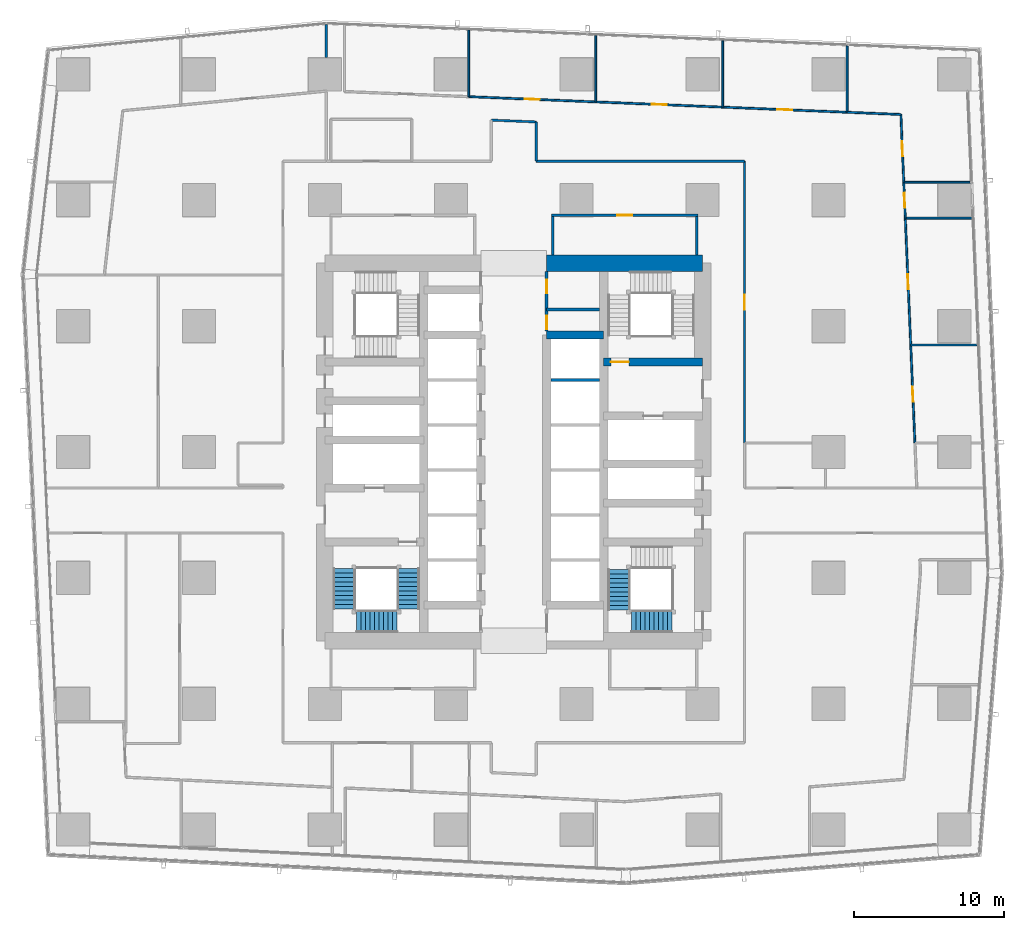
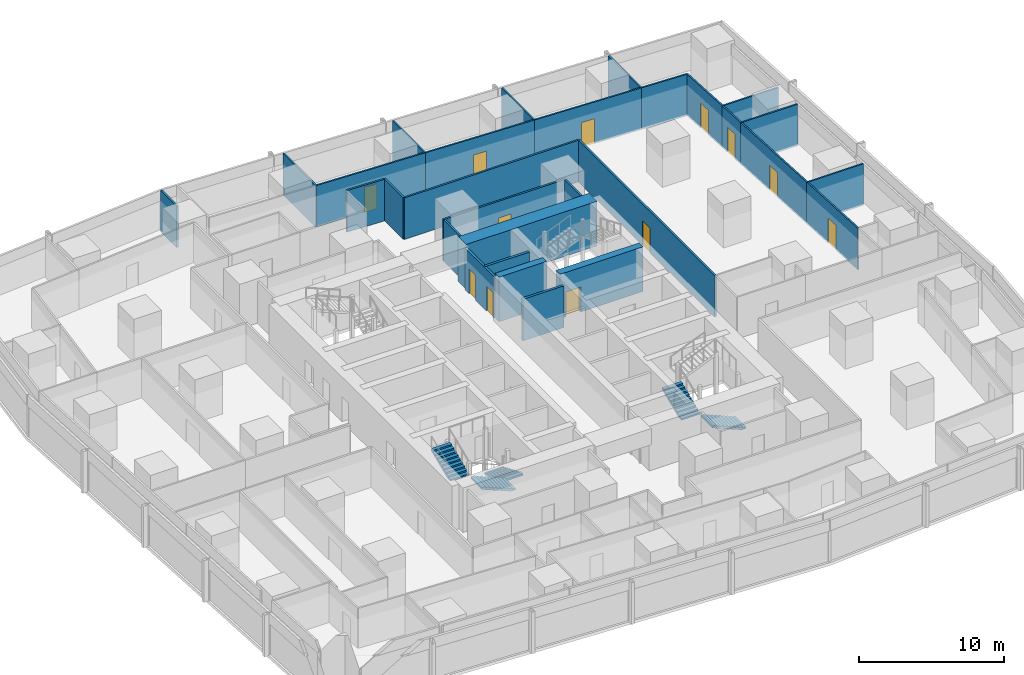
# One storey, part 35 of 45: 29 walls, 12 doors, 5 stair flights, 12 openings, 2 elements without a shape of their own.
"""IFC4 building model written with IfcOpenShell, lengths in metres."""

from ifc_helpers import new_model, si_unit, direction, frame, frame_2d, origin, place, context, subcontext, project, spatial, polyline, rectangle, outline, extrude, material, layer, layer_set, type_object, element, fill, aggregate, save


model = new_model("IFC4")

# Units and contexts
model_context = context("Model", 3, precision=1e-05, world=origin(), true_north=direction((0.0, 1.0)))
body_context = subcontext(model_context, "Body", "Model", "MODEL_VIEW")
ifc_project = project(units=[si_unit("LENGTHUNIT", "METRE"), si_unit("AREAUNIT", "SQUARE_METRE"), si_unit("VOLUMEUNIT", "CUBIC_METRE"), si_unit("PLANEANGLEUNIT", "RADIAN"), si_unit("MASSUNIT", "GRAM", prefix="KILO")], contexts=[model_context])

# Site, building, storey
site_placement = place(None, origin())
site = spatial("IfcSite", under=ifc_project, at=site_placement, CompositionType="ELEMENT")
building_placement = place(site_placement, origin())
building = spatial("IfcBuilding", under=site, at=building_placement, Name="Rekha Terrace Tower", CompositionType="ELEMENT")
storey_placement = place(building_placement, frame((0.0, 0.0, 36.64990234375)))
storey = spatial("IfcBuildingStorey", under=building, at=storey_placement, Name="L08", CompositionType="ELEMENT", Elevation=36.64990234375)

# Wall
ifc_material_1 = material(Name="Concrete M70", Category="concrete")
ifc_layer_1 = layer(ifc_material_1, 0.550048828125)
ifc_layer_set_1 = layer_set([ifc_layer_1], Name="Concrete M70")
wall_type_1 = type_object("IfcWallType", Name="CI1 550 core internal shear wall", PredefinedType="SHEAR", material=ifc_layer_set_1)
wall_1_placement = place(storey_placement, frame((40.0, 41.39990234375, 0.0), z_axis=(0.0, 0.0, 1.0), x_axis=(1.0, 0.0, 0.0)))
element("IfcWall", 1, at=wall_1_placement, inside=storey, type_object=wall_type_1, Name="Core wall Y414E L08", PredefinedType="SHEAR", context=body_context, shape_type="SweptSolid", body=[
    extrude(rectangle(XDim=3.800048828125, YDim=0.550048828125, at=frame_2d((1.89990234375, 0.0))), origin(), (0.0, 0.0, 1.0), 3.75),
])

# Wall, opening, door
wall_2_placement = place(storey_placement, frame((43.800048828125, 39.60009765625, 0.0), z_axis=(0.0, 0.0, 1.0), x_axis=(1.0, 0.0, 0.0)))
wall_2 = element("IfcWall", 2, at=wall_2_placement, inside=storey, type_object=wall_type_1, Name="Core wall Y396E L08", PredefinedType="SHEAR", context=body_context, shape_type="SweptSolid", body=[
    extrude(rectangle(XDim=6.599853515625, YDim=0.550048828125, at=frame_2d((3.2998046875, 0.0))), origin(), (0.0, 0.0, 1.0), 3.75),
])
opening_1_placement = place(wall_2_placement, frame((0.47509765625, 0.0, 0.0)))
opening_1 = element("IfcOpeningElement", 3, at=opening_1_placement, cuts=wall_2, Name="Opening D1", PredefinedType="OPENING", context=body_context, shape_type="SweptSolid", body=[
    extrude(rectangle(XDim=1.199951171875, YDim=2.10009765625, at=frame_2d((0.60009765625, 1.050048828125))), frame((0.0, 0.284912109375, 0.0), z_axis=(0.0, -1.0, 0.0), x_axis=(1.0, 0.0, 0.0)), (0.0, 0.0, 1.0), 0.570068359375),
])
ifc_material_2 = material(Name="Steel fire door", Category="steel")
door_type_1 = type_object("IfcDoorType", Name="D1 1200x2100 stair fire door", OperationType="SINGLE_SWING_RIGHT", PredefinedType="DOOR", material=ifc_material_2)
door_1_placement = place(opening_1_placement, origin())
door_1 = element("IfcDoor", 4, at=door_1_placement, inside=storey, type_object=door_type_1, Name="Stair ST2 door L08", OperationType="SINGLE_SWING_RIGHT", OverallHeight=2.10009765625, OverallWidth=1.199951171875, PredefinedType="DOOR", context=body_context, shape_type="SweptSolid", body=[
    extrude(rectangle(XDim=1.199951171875, YDim=2.10009765625, at=frame_2d((0.60009765625, 1.050048828125))), frame((0.0, 0.02490234375, 0.0), z_axis=(0.0, -1.0, 0.0), x_axis=(1.0, 0.0, 0.0)), (0.0, 0.0, 1.0), 0.050048828125),
])
fill(opening_1, door_1)

# Wall
ifc_layer_2 = layer(ifc_material_1, 1.10009765625)
ifc_layer_set_2 = layer_set([ifc_layer_2], Name="Concrete M70")
wall_type_2 = type_object("IfcWallType", Name="SW1 1100 core outer shear wall", PredefinedType="SHEAR", material=ifc_layer_set_2)
wall_3_placement = place(storey_placement, frame((40.0, 46.199951171875, 0.0), z_axis=(0.0, 0.0, 1.0), x_axis=(1.0, 0.0, 0.0)))
element("IfcWall", 5, at=wall_3_placement, inside=storey, type_object=wall_type_2, Name="Core wall N2 L08", PredefinedType="SHEAR", context=body_context, shape_type="SweptSolid", body=[
    extrude(rectangle(XDim=10.39990234375, YDim=1.10009765625, at=frame_2d((5.199951171875, 0.0))), origin(), (0.0, 0.0, 1.0), 3.75),
])

# Wall, opening, door
ifc_material_3 = material(Name="Concrete block masonry, 1 hour", Category="masonry")
ifc_layer_3 = layer(ifc_material_3, 0.14990234375)
ifc_layer_set_3 = layer_set([ifc_layer_3], Name="Concrete block masonry, 1 hour")
wall_type_3 = type_object("IfcWallType", Name="WP2 150 tenancy partition", PredefinedType="PARTITIONING", material=ifc_layer_set_3)
wall_4_placement = place(storey_placement, frame((40.324951171875, 49.39990234375, 0.0), z_axis=(0.0, 0.0, 1.0), x_axis=(1.0, 0.0, 0.0)))
wall_4 = element("IfcWall", 6, at=wall_4_placement, inside=storey, type_object=wall_type_3, Name="Women's WC wall L08", PredefinedType="PARTITIONING", context=body_context, shape_type="SweptSolid", body=[
    extrude(rectangle(XDim=9.75, YDim=0.14990234375, at=frame_2d((4.875, 0.0))), origin(), (0.0, 0.0, 1.0), 3.5),
])
opening_2_placement = place(wall_4_placement, frame((4.375, 0.0, 0.0)))
opening_2 = element("IfcOpeningElement", 7, at=opening_2_placement, cuts=wall_4, Name="Opening D3", PredefinedType="OPENING", context=body_context, shape_type="SweptSolid", body=[
    extrude(rectangle(XDim=1.0, YDim=2.10009765625, at=frame_2d((0.5, 1.050048828125))), frame((0.0, 0.0849609375, 0.0), z_axis=(0.0, -1.0, 0.0), x_axis=(1.0, 0.0, 0.0)), (0.0, 0.0, 1.0), 0.169921875),
])
ifc_material_4 = material(Name="Laminated timber fire door", Category="wood")
door_type_2 = type_object("IfcDoorType", Name="D3 1000x2100 WC door", OperationType="SINGLE_SWING_LEFT", PredefinedType="DOOR", material=ifc_material_4)
door_2_placement = place(opening_2_placement, origin())
door_2 = element("IfcDoor", 8, at=door_2_placement, inside=storey, type_object=door_type_2, Name="Door women's wc L08", OperationType="SINGLE_SWING_LEFT", OverallHeight=2.10009765625, OverallWidth=1.0, PredefinedType="DOOR", context=body_context, shape_type="SweptSolid", body=[
    extrude(rectangle(XDim=1.0, YDim=2.10009765625, at=frame_2d((0.5, 1.050048828125))), frame((0.0, 0.02490234375, 0.0), z_axis=(0.0, -1.0, 0.0), x_axis=(1.0, 0.0, 0.0)), (0.0, 0.0, 1.0), 0.050048828125),
])
fill(opening_2, door_2)

# Walls
for number, where, z_axis, x_axis, name in (
    (9, (40.39990234375, 46.75, 0.0), (0.0, 0.0, 1.0), (0.0, 1.0, 0.0), "Women's WC wall L08"),
    (10, (50.0, 46.75, 0.0), (0.0, 0.0, 1.0), (0.0, 1.0, 0.0), "Women's WC wall L08"),
):
    element("IfcWall", number, at=place(storey_placement, frame(where, z_axis=z_axis, x_axis=x_axis)), inside=storey, type_object=wall_type_3, Name=name, PredefinedType="PARTITIONING", context=body_context, shape_type="SweptSolid", body=[
        extrude(rectangle(XDim=2.574951171875, YDim=0.14990234375, at=frame_2d((1.28759765625, 0.0))), origin(), (0.0, 0.0, 1.0), 3.5),
    ])

# Wall, opening, door
wall_5_placement = place(storey_placement, frame((53.199951171875, 34.199951171875, 0.0), z_axis=(0.0, 0.0, 1.0), x_axis=(0.0, 1.0, 0.0)))
wall_5 = element("IfcWall", 11, at=wall_5_placement, inside=storey, type_object=wall_type_3, Name="Partition L08-O3", PredefinedType="PARTITIONING", context=body_context, shape_type="SweptSolid", body=[
    extrude(rectangle(XDim=18.800048828125, YDim=0.14990234375, at=frame_2d((9.39990234375, 0.0))), origin(), (0.0, 0.0, 1.0), 3.5),
])
opening_3_placement = place(wall_5_placement, frame((8.89990234375, 0.0, 0.0)))
opening_3 = element("IfcOpeningElement", 12, at=opening_3_placement, cuts=wall_5, Name="Opening D9", PredefinedType="OPENING", context=body_context, shape_type="SweptSolid", body=[
    extrude(rectangle(XDim=1.0, YDim=2.10009765625, at=frame_2d((0.5, 1.050048828125))), frame((0.0, 0.0849609375, 0.0), z_axis=(0.0, -1.0, 0.0), x_axis=(1.0, 0.0, 0.0)), (0.0, 0.0, 1.0), 0.169921875),
])
ifc_material_5 = material(Name="Timber fire door", Category="wood")
door_type_3 = type_object("IfcDoorType", Name="D9 1000x2100 office door", OperationType="SINGLE_SWING_LEFT", PredefinedType="DOOR", material=ifc_material_5)
door_3_placement = place(opening_3_placement, origin())
door_3 = element("IfcDoor", 13, at=door_3_placement, inside=storey, type_object=door_type_3, Name="Door open-plan office L08", OperationType="SINGLE_SWING_LEFT", OverallHeight=2.10009765625, OverallWidth=1.0, PredefinedType="DOOR", context=body_context, shape_type="SweptSolid", body=[
    extrude(rectangle(XDim=1.0, YDim=2.10009765625, at=frame_2d((0.5, 1.050048828125))), frame((0.0, 0.02490234375, 0.0), z_axis=(0.0, -1.0, 0.0), x_axis=(1.0, 0.0, 0.0)), (0.0, 0.0, 1.0), 0.050048828125),
])
fill(opening_3, door_3)

# Walls
wall_6_placement = place(storey_placement, frame((53.199951171875, 53.0, 0.0), z_axis=(0.0, 0.0, 1.0), x_axis=(-1.0, 0.0, 0.0)))
element("IfcWall", 14, at=wall_6_placement, inside=storey, type_object=wall_type_3, Name="Partition L08-O3", PredefinedType="PARTITIONING", context=body_context, shape_type="SweptSolid", body=[
    extrude(rectangle(XDim=13.89990234375, YDim=0.14990234375, at=frame_2d((6.949951171875, 0.0))), origin(), (0.0, 0.0, 1.0), 3.5),
])
wall_7_placement = place(storey_placement, frame((39.300048828125, 53.0, 0.0), z_axis=(0.0, 0.0, 1.0), x_axis=(0.0, 1.0, 0.0)))
element("IfcWall", 15, at=wall_7_placement, inside=storey, type_object=wall_type_3, Name="Partition L08-O3", PredefinedType="PARTITIONING", context=body_context, shape_type="SweptSolid", body=[
    extrude(rectangle(XDim=2.618896484375, YDim=0.14990234375, at=frame_2d((1.3095703125, 0.0))), origin(), (0.0, 0.0, 1.0), 3.5),
])
wall_8_placement = place(storey_placement, frame((39.300048828125, 55.618896484375, 0.0), z_axis=(0.0, 0.0, 1.0), x_axis=(-0.999146548644, 0.041305863176, 0.0)))
element("IfcWall", 16, at=wall_8_placement, inside=storey, type_object=wall_type_3, Name="Partition L08-O3", PredefinedType="PARTITIONING", context=body_context, shape_type="SweptSolid", body=[
    extrude(rectangle(XDim=3.00244140625, YDim=0.14990234375, at=frame_2d((1.501220703125, 0.0))), origin(), (0.0, 0.0, 1.0), 3.5),
])
wall_9_placement = place(storey_placement, frame((25.291015625, 59.919921875, 0.0), z_axis=(0.0, 0.0, 1.0), x_axis=(0.0, 1.0, 0.0)))
element("IfcWall", 17, at=wall_9_placement, inside=storey, type_object=wall_type_3, Name="Partition L08-O3", PredefinedType="PARTITIONING", context=body_context, shape_type="SweptSolid", body=[
    extrude(rectangle(XDim=2.196044921875, YDim=0.14990234375, at=frame_2d((1.09814453125, 0.0))), origin(), (0.0, 0.0, 1.0), 3.5),
])
ifc_material_6 = material(Name="Two layers of fire-rated gypsum board each side on steel studs, acoustic quilt, 1 hour", Category="steel")
ifc_layer_4 = layer(ifc_material_6, 0.125)
ifc_layer_set_4 = layer_set([ifc_layer_4], Name="Two layers of fire-rated gypsum board each side on steel studs, acoustic quilt, 1 hour")
wall_type_4 = type_object("IfcWallType", Name="WP3 125 office partition", PredefinedType="PARTITIONING", material=ifc_layer_set_4)
wall_10_placement = place(storey_placement, frame((64.283935546875, 40.735107421875, 0.0), z_axis=(0.0, 0.0, 1.0), x_axis=(1.0, 0.0, 0.0)))
element("IfcWall", 18, at=wall_10_placement, inside=storey, type_object=wall_type_4, Name="Partition L08-10", PredefinedType="PARTITIONING", context=body_context, shape_type="SweptSolid", body=[
    extrude(rectangle(XDim=4.424072265625, YDim=0.125, at=frame_2d((2.2119140625, 0.0))), origin(), (0.0, 0.0, 1.0), 3.5),
])

# Wall, opening, door
wall_11_placement = place(storey_placement, frame((64.56298828125, 34.199951171875, 0.0), z_axis=(0.0, 0.0, 1.0), x_axis=(-0.042661364349, 0.999089589572, 0.0)))
wall_11 = element("IfcWall", 19, at=wall_11_placement, inside=storey, type_object=wall_type_4, Name="Partition L08-10", PredefinedType="PARTITIONING", context=body_context, shape_type="SweptSolid", body=[
    extrude(rectangle(XDim=6.541015625, YDim=0.125, at=frame_2d((3.2705078125, 0.0))), origin(), (0.0, 0.0, 1.0), 3.5),
])
opening_4_placement = place(wall_11_placement, frame((2.77001953125, 0.0, 0.0)))
opening_4 = element("IfcOpeningElement", 20, at=opening_4_placement, cuts=wall_11, Name="Opening D9", PredefinedType="OPENING", context=body_context, shape_type="SweptSolid", body=[
    extrude(rectangle(XDim=1.0, YDim=2.10009765625, at=frame_2d((0.5, 1.050048828125))), frame((0.0, 0.072509765625, 0.0), z_axis=(0.0, -1.0, 0.0), x_axis=(1.0, 0.0, 0.0)), (0.0, 0.0, 1.0), 0.14501953125),
])
door_4_placement = place(opening_4_placement, origin())
door_4 = element("IfcDoor", 21, at=door_4_placement, inside=storey, type_object=door_type_3, Name="Door office L08", OperationType="SINGLE_SWING_LEFT", OverallHeight=2.10009765625, OverallWidth=1.0, PredefinedType="DOOR", context=body_context, shape_type="SweptSolid", body=[
    extrude(rectangle(XDim=1.0, YDim=2.10009765625, at=frame_2d((0.5, 1.050048828125))), frame((0.0, 0.02490234375, 0.0), z_axis=(0.0, -1.0, 0.0), x_axis=(1.0, 0.0, 0.0)), (0.0, 0.0, 1.0), 0.050048828125),
])
fill(opening_4, door_4)

wall_12_placement = place(storey_placement, frame((64.283935546875, 40.736083984375, 0.0), z_axis=(0.0, 0.0, 1.0), x_axis=(-0.04269951426, 0.999087959832, 0.0)))
wall_12 = element("IfcWall", 22, at=wall_12_placement, inside=storey, type_object=wall_type_4, Name="Partition L08-11", PredefinedType="PARTITIONING", context=body_context, shape_type="SweptSolid", body=[
    extrude(rectangle(XDim=8.4736328125, YDim=0.125, at=frame_2d((4.23681640625, 0.0))), origin(), (0.0, 0.0, 1.0), 3.5),
])
opening_5_placement = place(wall_12_placement, frame((3.737060546875, 0.0, 0.0)))
opening_5 = element("IfcOpeningElement", 23, at=opening_5_placement, cuts=wall_12, Name="Opening D9", PredefinedType="OPENING", context=body_context, shape_type="SweptSolid", body=[
    extrude(rectangle(XDim=1.0, YDim=2.10009765625, at=frame_2d((0.5, 1.050048828125))), frame((0.0, 0.072509765625, 0.0), z_axis=(0.0, -1.0, 0.0), x_axis=(1.0, 0.0, 0.0)), (0.0, 0.0, 1.0), 0.14501953125),
])
door_5_placement = place(opening_5_placement, origin())
door_5 = element("IfcDoor", 24, at=door_5_placement, inside=storey, type_object=door_type_3, Name="Door office L08", OperationType="SINGLE_SWING_LEFT", OverallHeight=2.10009765625, OverallWidth=1.0, PredefinedType="DOOR", context=body_context, shape_type="SweptSolid", body=[
    extrude(rectangle(XDim=1.0, YDim=2.10009765625, at=frame_2d((0.5, 1.050048828125))), frame((0.0, 0.02490234375, 0.0), z_axis=(0.0, -1.0, 0.0), x_axis=(1.0, 0.0, 0.0)), (0.0, 0.0, 1.0), 0.050048828125),
])
fill(opening_5, door_5)

# Wall
wall_13_placement = place(storey_placement, frame((63.922119140625, 49.201904296875, 0.0), z_axis=(0.0, 0.0, 1.0), x_axis=(1.0, 0.0, 0.0)))
element("IfcWall", 25, at=wall_13_placement, inside=storey, type_object=wall_type_4, Name="Partition L08-11", PredefinedType="PARTITIONING", context=body_context, shape_type="SweptSolid", body=[
    extrude(rectangle(XDim=4.453857421875, YDim=0.125, at=frame_2d((2.22705078125, 0.0))), origin(), (0.0, 0.0, 1.0), 3.5),
])

# Wall, opening, door
wall_14_placement = place(storey_placement, frame((63.922119140625, 49.202880859375, 0.0), z_axis=(0.0, 0.0, 1.0), x_axis=(-0.042501507067, 0.999096402704, 0.0)))
wall_14 = element("IfcWall", 26, at=wall_14_placement, inside=storey, type_object=wall_type_4, Name="Partition L08-12", PredefinedType="PARTITIONING", context=body_context, shape_type="SweptSolid", body=[
    extrude(rectangle(XDim=2.355224609375, YDim=0.125, at=frame_2d((1.177734375, 0.0))), origin(), (0.0, 0.0, 1.0), 3.5),
])
opening_6_placement = place(wall_14_placement, frame((0.677978515625, 0.0, 0.0)))
opening_6 = element("IfcOpeningElement", 27, at=opening_6_placement, cuts=wall_14, Name="Opening D9", PredefinedType="OPENING", context=body_context, shape_type="SweptSolid", body=[
    extrude(rectangle(XDim=1.0, YDim=2.10009765625, at=frame_2d((0.5, 1.050048828125))), frame((0.0, 0.072509765625, 0.0), z_axis=(0.0, -1.0, 0.0), x_axis=(1.0, 0.0, 0.0)), (0.0, 0.0, 1.0), 0.14501953125),
])
door_6_placement = place(opening_6_placement, origin())
door_6 = element("IfcDoor", 28, at=door_6_placement, inside=storey, type_object=door_type_3, Name="Door office L08", OperationType="SINGLE_SWING_LEFT", OverallHeight=2.10009765625, OverallWidth=1.0, PredefinedType="DOOR", context=body_context, shape_type="SweptSolid", body=[
    extrude(rectangle(XDim=1.0, YDim=2.10009765625, at=frame_2d((0.5, 1.050048828125))), frame((0.0, 0.02490234375, 0.0), z_axis=(0.0, -1.0, 0.0), x_axis=(1.0, 0.0, 0.0)), (0.0, 0.0, 1.0), 0.050048828125),
])
fill(opening_6, door_6)

# Wall
wall_15_placement = place(storey_placement, frame((63.883056640625, 51.593017578125, 0.0), z_axis=(0.0, 0.0, 1.0), x_axis=(1.0, 0.0, 0.0)))
element("IfcWall", 29, at=wall_15_placement, inside=storey, type_object=wall_type_4, Name="Partition L08-12", PredefinedType="PARTITIONING", context=body_context, shape_type="SweptSolid", body=[
    extrude(rectangle(XDim=4.36083984375, YDim=0.125, at=frame_2d((2.180419921875, 0.0))), origin(), (0.0, 0.0, 1.0), 3.5),
])

# Wall, opening, door
wall_16_placement = place(storey_placement, frame((63.822021484375, 51.556884765625, 0.0), z_axis=(0.0, 0.0, 1.0), x_axis=(-0.042738513094, 0.999086292318, 0.0)))
wall_16 = element("IfcWall", 30, at=wall_16_placement, inside=storey, type_object=wall_type_4, Name="Partition L08-13", PredefinedType="PARTITIONING", context=body_context, shape_type="SweptSolid", body=[
    extrude(rectangle(XDim=4.564208984375, YDim=0.125, at=frame_2d((2.2822265625, 0.0))), origin(), (0.0, 0.0, 1.0), 3.5),
])
opening_7_placement = place(wall_16_placement, frame((1.781982421875, 0.0, 0.0)))
opening_7 = element("IfcOpeningElement", 31, at=opening_7_placement, cuts=wall_16, Name="Opening D9", PredefinedType="OPENING", context=body_context, shape_type="SweptSolid", body=[
    extrude(rectangle(XDim=1.0, YDim=2.10009765625, at=frame_2d((0.5, 1.050048828125))), frame((0.0, 0.072509765625, 0.0), z_axis=(0.0, -1.0, 0.0), x_axis=(1.0, 0.0, 0.0)), (0.0, 0.0, 1.0), 0.14501953125),
])
door_7_placement = place(opening_7_placement, origin())
door_7 = element("IfcDoor", 32, at=door_7_placement, inside=storey, type_object=door_type_3, Name="Door manager's office L08", OperationType="SINGLE_SWING_LEFT", OverallHeight=2.10009765625, OverallWidth=1.0, PredefinedType="DOOR", context=body_context, shape_type="SweptSolid", body=[
    extrude(rectangle(XDim=1.0, YDim=2.10009765625, at=frame_2d((0.5, 1.050048828125))), frame((0.0, 0.02490234375, 0.0), z_axis=(0.0, -1.0, 0.0), x_axis=(1.0, 0.0, 0.0)), (0.0, 0.0, 1.0), 0.050048828125),
])
fill(opening_7, door_7)

# Walls
wall_17_placement = place(storey_placement, frame((63.626953125, 56.116943359375, 0.0), z_axis=(0.0, 0.0, 1.0), x_axis=(-0.999150890799, 0.041200696776, 0.0)))
element("IfcWall", 33, at=wall_17_placement, inside=storey, type_object=wall_type_4, Name="Partition L08-13", PredefinedType="PARTITIONING", context=body_context, shape_type="SweptSolid", body=[
    extrude(rectangle(XDim=3.5908203125, YDim=0.125, at=frame_2d((1.79541015625, 0.0))), origin(), (0.0, 0.0, 1.0), 3.5),
])
wall_18_placement = place(storey_placement, frame((60.0390625, 56.264892578125, 0.0), z_axis=(0.0, 0.0, 1.0), x_axis=(0.0, 1.0, 0.0)))
element("IfcWall", 34, at=wall_18_placement, inside=storey, type_object=wall_type_4, Name="Partition L08-13", PredefinedType="PARTITIONING", context=body_context, shape_type="SweptSolid", body=[
    extrude(rectangle(XDim=4.424072265625, YDim=0.125, at=frame_2d((2.2119140625, 0.0))), origin(), (0.0, 0.0, 1.0), 3.5),
])

# Wall, opening, door
wall_19_placement = place(storey_placement, frame((60.0380859375, 56.264892578125, 0.0), z_axis=(0.0, 0.0, 1.0), x_axis=(-0.999150321127, 0.041214509478, 0.0)))
wall_19 = element("IfcWall", 35, at=wall_19_placement, inside=storey, type_object=wall_type_4, Name="Partition L08-14", PredefinedType="PARTITIONING", context=body_context, shape_type="SweptSolid", body=[
    extrude(rectangle(XDim=8.299072265625, YDim=0.125, at=frame_2d((4.1494140625, 0.0))), origin(), (0.0, 0.0, 1.0), 3.5),
])
opening_8_placement = place(wall_19_placement, frame((3.64990234375, 0.0, 0.0)))
opening_8 = element("IfcOpeningElement", 36, at=opening_8_placement, cuts=wall_19, Name="Opening D9", PredefinedType="OPENING", context=body_context, shape_type="SweptSolid", body=[
    extrude(rectangle(XDim=1.0, YDim=2.10009765625, at=frame_2d((0.5, 1.050048828125))), frame((0.0, 0.072509765625, 0.0), z_axis=(0.0, -1.0, 0.0), x_axis=(1.0, 0.0, 0.0)), (0.0, 0.0, 1.0), 0.14501953125),
])
door_8_placement = place(opening_8_placement, origin())
door_8 = element("IfcDoor", 37, at=door_8_placement, inside=storey, type_object=door_type_3, Name="Door office L08", OperationType="SINGLE_SWING_LEFT", OverallHeight=2.10009765625, OverallWidth=1.0, PredefinedType="DOOR", context=body_context, shape_type="SweptSolid", body=[
    extrude(rectangle(XDim=1.0, YDim=2.10009765625, at=frame_2d((0.5, 1.050048828125))), frame((0.0, 0.02490234375, 0.0), z_axis=(0.0, -1.0, 0.0), x_axis=(1.0, 0.0, 0.0)), (0.0, 0.0, 1.0), 0.050048828125),
])
fill(opening_8, door_8)

# Wall
wall_20_placement = place(storey_placement, frame((51.74609375, 56.60693359375, 0.0), z_axis=(0.0, 0.0, 1.0), x_axis=(0.0, 1.0, 0.0)))
element("IfcWall", 38, at=wall_20_placement, inside=storey, type_object=wall_type_4, Name="Partition L08-14", PredefinedType="PARTITIONING", context=body_context, shape_type="SweptSolid", body=[
    extrude(rectangle(XDim=4.424072265625, YDim=0.125, at=frame_2d((2.2119140625, 0.0))), origin(), (0.0, 0.0, 1.0), 3.5),
])

# Wall, opening, door
wall_21_placement = place(storey_placement, frame((51.7451171875, 56.60693359375, 0.0), z_axis=(0.0, 0.0, 1.0), x_axis=(-0.999152030187, 0.041173056399, 0.0)))
wall_21 = element("IfcWall", 39, at=wall_21_placement, inside=storey, type_object=wall_type_4, Name="Partition L08-15", PredefinedType="PARTITIONING", context=body_context, shape_type="SweptSolid", body=[
    extrude(rectangle(XDim=8.479248046875, YDim=0.125, at=frame_2d((4.23974609375, 0.0))), origin(), (0.0, 0.0, 1.0), 3.5),
])
opening_9_placement = place(wall_21_placement, frame((3.739990234375, 0.0, 0.0)))
opening_9 = element("IfcOpeningElement", 40, at=opening_9_placement, cuts=wall_21, Name="Opening D9", PredefinedType="OPENING", context=body_context, shape_type="SweptSolid", body=[
    extrude(rectangle(XDim=1.0, YDim=2.10009765625, at=frame_2d((0.5, 1.050048828125))), frame((0.0, 0.072509765625, 0.0), z_axis=(0.0, -1.0, 0.0), x_axis=(1.0, 0.0, 0.0)), (0.0, 0.0, 1.0), 0.14501953125),
])
door_9_placement = place(opening_9_placement, origin())
door_9 = element("IfcDoor", 41, at=door_9_placement, inside=storey, type_object=door_type_3, Name="Door office L08", OperationType="SINGLE_SWING_LEFT", OverallHeight=2.10009765625, OverallWidth=1.0, PredefinedType="DOOR", context=body_context, shape_type="SweptSolid", body=[
    extrude(rectangle(XDim=1.0, YDim=2.10009765625, at=frame_2d((0.5, 1.050048828125))), frame((0.0, 0.02490234375, 0.0), z_axis=(0.0, -1.0, 0.0), x_axis=(1.0, 0.0, 0.0)), (0.0, 0.0, 1.0), 0.050048828125),
])
fill(opening_9, door_9)

# Wall
wall_22_placement = place(storey_placement, frame((43.27294921875, 56.9560546875, 0.0), z_axis=(0.0, 0.0, 1.0), x_axis=(0.0, 1.0, 0.0)))
element("IfcWall", 42, at=wall_22_placement, inside=storey, type_object=wall_type_4, Name="Partition L08-15", PredefinedType="PARTITIONING", context=body_context, shape_type="SweptSolid", body=[
    extrude(rectangle(XDim=4.423828125, YDim=0.125, at=frame_2d((2.2119140625, 0.0))), origin(), (0.0, 0.0, 1.0), 3.5),
])

# Wall, opening, door
wall_23_placement = place(storey_placement, frame((43.27197265625, 56.9560546875, 0.0), z_axis=(0.0, 0.0, 1.0), x_axis=(-0.999148227965, 0.041265222085, 0.0)))
wall_23 = element("IfcWall", 43, at=wall_23_placement, inside=storey, type_object=wall_type_4, Name="Partition L08-16", PredefinedType="PARTITIONING", context=body_context, shape_type="SweptSolid", body=[
    extrude(rectangle(XDim=8.478271484375, YDim=0.125, at=frame_2d((4.2392578125, 0.0))), origin(), (0.0, 0.0, 1.0), 3.5),
])
opening_10_placement = place(wall_23_placement, frame((3.739013671875, 0.0, 0.0)))
opening_10 = element("IfcOpeningElement", 44, at=opening_10_placement, cuts=wall_23, Name="Opening D9", PredefinedType="OPENING", context=body_context, shape_type="SweptSolid", body=[
    extrude(rectangle(XDim=1.0, YDim=2.10009765625, at=frame_2d((0.5, 1.050048828125))), frame((0.0, 0.072509765625, 0.0), z_axis=(0.0, -1.0, 0.0), x_axis=(1.0, 0.0, 0.0)), (0.0, 0.0, 1.0), 0.14501953125),
])
door_10_placement = place(opening_10_placement, origin())
door_10 = element("IfcDoor", 45, at=door_10_placement, inside=storey, type_object=door_type_3, Name="Door office L08", OperationType="SINGLE_SWING_LEFT", OverallHeight=2.10009765625, OverallWidth=1.0, PredefinedType="DOOR", context=body_context, shape_type="SweptSolid", body=[
    extrude(rectangle(XDim=1.0, YDim=2.10009765625, at=frame_2d((0.5, 1.050048828125))), frame((0.0, 0.02490234375, 0.0), z_axis=(0.0, -1.0, 0.0), x_axis=(1.0, 0.0, 0.0)), (0.0, 0.0, 1.0), 0.050048828125),
])
fill(opening_10, door_10)

# Walls
wall_24_placement = place(storey_placement, frame((34.801025390625, 57.305908203125, 0.0), z_axis=(0.0, 0.0, 1.0), x_axis=(0.0, 1.0, 0.0)))
element("IfcWall", 46, at=wall_24_placement, inside=storey, type_object=wall_type_4, Name="Partition L08-16", PredefinedType="PARTITIONING", context=body_context, shape_type="SweptSolid", body=[
    extrude(rectangle(XDim=4.453125, YDim=0.125, at=frame_2d((2.2265625, 0.0))), origin(), (0.0, 0.0, 1.0), 3.5),
])
ifc_material_7 = material(Name="Solid concrete block masonry, 2 hour", Category="masonry")
ifc_layer_5 = layer(ifc_material_7, 0.199951171875)
ifc_layer_set_5 = layer_set([ifc_layer_5], Name="Solid concrete block masonry, 2 hour")
wall_type_5 = type_object("IfcWallType", Name="WS1 200 stair and shaft enclosure", PredefinedType="PARTITIONING", material=ifc_layer_set_5)
wall_25_placement = place(storey_placement, frame((40.27490234375, 38.39990234375, 0.0), z_axis=(0.0, 0.0, 1.0), x_axis=(1.0, 0.0, 0.0)))
element("IfcWall", 47, at=wall_25_placement, inside=storey, type_object=wall_type_5, Name="Lift shaft divider L08", PredefinedType="PARTITIONING", context=body_context, shape_type="SweptSolid", body=[
    extrude(rectangle(XDim=3.25, YDim=0.199951171875, at=frame_2d((1.625, 0.0))), origin(), (0.0, 0.0, 1.0), 3.5),
])

# Wall, openings, doors
wall_26_placement = place(storey_placement, frame((40.0, 41.675048828125, 0.0), z_axis=(0.0, 0.0, 1.0), x_axis=(0.0, 1.0, 0.0)))
wall_26 = element("IfcWall", 48, at=wall_26_placement, inside=storey, type_object=wall_type_5, Name="Core partition elec L08", PredefinedType="PARTITIONING", context=body_context, shape_type="SweptSolid", body=[
    extrude(rectangle(XDim=3.974853515625, YDim=0.199951171875, at=frame_2d((1.9873046875, 0.0))), origin(), (0.0, 0.0, 1.0), 3.5),
])
opening_11_placement = place(wall_26_placement, frame((2.52490234375, 0.0, 0.0)))
opening_11 = element("IfcOpeningElement", 49, at=opening_11_placement, cuts=wall_26, Name="Opening D5", PredefinedType="OPENING", context=body_context, shape_type="SweptSolid", body=[
    extrude(rectangle(XDim=0.89990234375, YDim=2.10009765625, at=frame_2d((0.449951171875, 1.050048828125))), frame((0.0, 0.10986328125, 0.0), z_axis=(0.0, -1.0, 0.0), x_axis=(1.0, 0.0, 0.0)), (0.0, 0.0, 1.0), 0.219970703125),
])
opening_12_placement = place(wall_26_placement, frame((0.125, 0.0, 0.0)))
opening_12 = element("IfcOpeningElement", 50, at=opening_12_placement, cuts=wall_26, Name="Opening D5", PredefinedType="OPENING", context=body_context, shape_type="SweptSolid", body=[
    extrude(rectangle(XDim=0.89990234375, YDim=2.10009765625, at=frame_2d((0.449951171875, 1.050048828125))), frame((0.0, 0.10986328125, 0.0), z_axis=(0.0, -1.0, 0.0), x_axis=(1.0, 0.0, 0.0)), (0.0, 0.0, 1.0), 0.219970703125),
])
door_type_4 = type_object("IfcDoorType", Name="D5 900x2100 riser access door", OperationType="SINGLE_SWING_LEFT", PredefinedType="DOOR", material=ifc_material_2)
door_11_placement = place(opening_11_placement, origin())
door_11 = element("IfcDoor", 51, at=door_11_placement, inside=storey, type_object=door_type_4, Name="Door electrical room L08", OperationType="SINGLE_SWING_LEFT", OverallHeight=2.10009765625, OverallWidth=0.89990234375, PredefinedType="DOOR", context=body_context, shape_type="SweptSolid", body=[
    extrude(rectangle(XDim=0.89990234375, YDim=2.10009765625, at=frame_2d((0.449951171875, 1.050048828125))), frame((0.0, 0.02490234375, 0.0), z_axis=(0.0, -1.0, 0.0), x_axis=(1.0, 0.0, 0.0)), (0.0, 0.0, 1.0), 0.050048828125),
])
fill(opening_11, door_11)
door_12_placement = place(opening_12_placement, origin())
door_12 = element("IfcDoor", 52, at=door_12_placement, inside=storey, type_object=door_type_4, Name="Door mother's room L08", OperationType="SINGLE_SWING_LEFT", OverallHeight=2.10009765625, OverallWidth=0.89990234375, PredefinedType="DOOR", context=body_context, shape_type="SweptSolid", body=[
    extrude(rectangle(XDim=0.89990234375, YDim=2.10009765625, at=frame_2d((0.449951171875, 1.050048828125))), frame((0.0, 0.02490234375, 0.0), z_axis=(0.0, -1.0, 0.0), x_axis=(1.0, 0.0, 0.0)), (0.0, 0.0, 1.0), 0.050048828125),
])
fill(opening_12, door_12)

# Wall
wall_27_placement = place(storey_placement, frame((40.0, 43.10009765625, 0.0), z_axis=(0.0, 0.0, 1.0), x_axis=(1.0, 0.0, 0.0)))
element("IfcWall", 53, at=wall_27_placement, inside=storey, type_object=wall_type_5, Name="Core partition elx L08", PredefinedType="PARTITIONING", context=body_context, shape_type="SweptSolid", body=[
    extrude(rectangle(XDim=3.52490234375, YDim=0.199951171875, at=frame_2d((1.762451171875, 0.0))), origin(), (0.0, 0.0, 1.0), 3.5),
])

# Stair, stair flights
ifc_material_8 = material(Name="Concrete M40", Category="concrete")
stair_type = type_object("IfcStairType", Name="ST30 stair, 30 risers of 125, going 300, 1500 wide flights, 3 flights", PredefinedType="HALF_TURN_STAIR", material=ifc_material_8)
stair_1_placement = place(storey_placement, origin())
stair_1 = element("IfcStair", 54, at=stair_1_placement, inside=storey, type_object=stair_type, Name="Stair ST1 L08 to L09", PredefinedType="HALF_TURN_STAIR")
stair_flight_type = type_object("IfcStairFlightType", Name="SF10 stair flight, 10 risers of 125, going 300, 1500 wide", PredefinedType="STRAIGHT", material=ifc_material_8)
stair_flight_1_placement = place(storey_placement, frame((30.77490234375, 25.824951171875, 0.0), z_axis=(0.0, 0.0, 1.0), x_axis=(0.0, -1.0, 0.0)))
stair_flight_1 = element("IfcStairFlight", 55, at=stair_flight_1_placement, type_object=stair_flight_type, Name="ST1 flight 1", NumberOfRisers=10, NumberOfTreads=9, PredefinedType="STRAIGHT", RiserHeight=0.125, TreadLength=0.3, context=body_context, shape_type="SweptSolid", body=[
    extrude(outline(polyline([(0.0, 0.0), (0.0, 0.125), (0.300048828125, 0.125), (0.300048828125, 0.25), (0.60009765625, 0.25), (0.60009765625, 0.375), (0.89990234375, 0.375), (0.89990234375, 0.5), (1.199951171875, 0.5), (1.199951171875, 0.625), (1.5, 0.625), (1.5, 0.75), (1.800048828125, 0.75), (1.800048828125, 0.875), (2.10009765625, 0.875), (2.10009765625, 1.0), (2.39990234375, 1.0), (2.39990234375, 1.125), (2.699951171875, 1.125), (2.699951171875, 1.25), (2.699951171875, 0.962646484375), (0.3896484375, 0.0), (0.0, 0.0)])), frame((0.0, 0.75, 0.0), z_axis=(0.0, -1.0, 0.0), x_axis=(1.0, 0.0, 0.0)), (0.0, 0.0, 1.0), 1.5),
])
stair_flight_2_placement = place(storey_placement, frame((30.02490234375, 22.300048828125, 1.25), z_axis=(0.0, 0.0, 1.0), x_axis=(-1.0, 0.0, 0.0)))
stair_flight_2 = element("IfcStairFlight", 56, at=stair_flight_2_placement, type_object=stair_flight_type, Name="ST1 flight 2", NumberOfRisers=10, NumberOfTreads=9, PredefinedType="STRAIGHT", RiserHeight=0.125, TreadLength=0.3, context=body_context, shape_type="SweptSolid", body=[
    extrude(outline(polyline([(0.0, 0.0), (0.0, 0.125), (0.300048828125, 0.125), (0.300048828125, 0.25), (0.60009765625, 0.25), (0.60009765625, 0.375), (0.89990234375, 0.375), (0.89990234375, 0.5), (1.199951171875, 0.5), (1.199951171875, 0.625), (1.5, 0.625), (1.5, 0.75), (1.800048828125, 0.75), (1.800048828125, 0.875), (2.10009765625, 0.875), (2.10009765625, 1.0), (2.39990234375, 1.0), (2.39990234375, 1.125), (2.699951171875, 1.125), (2.699951171875, 1.25), (2.699951171875, 0.962646484375), (0.3896484375, 0.0), (0.0, 0.0)])), frame((0.0, 0.75, 0.0), z_axis=(0.0, -1.0, 0.0), x_axis=(1.0, 0.0, 0.0)), (0.0, 0.0, 1.0), 1.5),
])
stair_flight_3_placement = place(storey_placement, frame((26.5, 23.125, 2.5), z_axis=(0.0, 0.0, 1.0), x_axis=(0.0, 1.0, 0.0)))
stair_flight_3 = element("IfcStairFlight", 57, at=stair_flight_3_placement, type_object=stair_flight_type, Name="ST1 flight 3", NumberOfRisers=10, NumberOfTreads=9, PredefinedType="STRAIGHT", RiserHeight=0.125, TreadLength=0.3, context=body_context, shape_type="SweptSolid", body=[
    extrude(outline(polyline([(0.0, 0.0), (0.0, 0.125), (0.300048828125, 0.125), (0.300048828125, 0.25), (0.60009765625, 0.25), (0.60009765625, 0.375), (0.89990234375, 0.375), (0.89990234375, 0.5), (1.199951171875, 0.5), (1.199951171875, 0.625), (1.5, 0.625), (1.5, 0.75), (1.800048828125, 0.75), (1.800048828125, 0.875), (2.10009765625, 0.875), (2.10009765625, 1.0), (2.39990234375, 1.0), (2.39990234375, 1.125), (2.699951171875, 1.125), (2.699951171875, 1.25), (2.699951171875, 0.962646484375), (0.3896484375, 0.0), (0.0, 0.0)])), frame((0.0, 0.75, 0.0), z_axis=(0.0, -1.0, 0.0), x_axis=(1.0, 0.0, 0.0)), (0.0, 0.0, 1.0), 1.5),
])
aggregate(stair_1, [stair_flight_1, stair_flight_2, stair_flight_3])

stair_2_placement = place(storey_placement, origin())
stair_2 = element("IfcStair", 58, at=stair_2_placement, inside=storey, type_object=stair_type, Name="Stair ST3 L08 to L09", PredefinedType="HALF_TURN_STAIR")
stair_flight_4_placement = place(storey_placement, frame((48.35009765625, 22.300048828125, 0.0), z_axis=(0.0, 0.0, 1.0), x_axis=(-1.0, 0.0, 0.0)))
stair_flight_4 = element("IfcStairFlight", 59, at=stair_flight_4_placement, type_object=stair_flight_type, Name="ST3 flight 1", NumberOfRisers=10, NumberOfTreads=9, PredefinedType="STRAIGHT", RiserHeight=0.125, TreadLength=0.3, context=body_context, shape_type="SweptSolid", body=[
    extrude(outline(polyline([(0.0, 0.0), (0.0, 0.125), (0.300048828125, 0.125), (0.300048828125, 0.25), (0.60009765625, 0.25), (0.60009765625, 0.375), (0.89990234375, 0.375), (0.89990234375, 0.5), (1.199951171875, 0.5), (1.199951171875, 0.625), (1.5, 0.625), (1.5, 0.75), (1.800048828125, 0.75), (1.800048828125, 0.875), (2.10009765625, 0.875), (2.10009765625, 1.0), (2.39990234375, 1.0), (2.39990234375, 1.125), (2.699951171875, 1.125), (2.699951171875, 1.25), (2.699951171875, 0.962646484375), (0.3896484375, 0.0), (0.0, 0.0)])), frame((0.0, 0.75, 0.0), z_axis=(0.0, -1.0, 0.0), x_axis=(1.0, 0.0, 0.0)), (0.0, 0.0, 1.0), 1.5),
])
stair_flight_5_placement = place(storey_placement, frame((44.824951171875, 23.050048828125, 1.25), z_axis=(0.0, 0.0, 1.0), x_axis=(0.0, 1.0, 0.0)))
stair_flight_5 = element("IfcStairFlight", 60, at=stair_flight_5_placement, type_object=stair_flight_type, Name="ST3 flight 2", NumberOfRisers=10, NumberOfTreads=9, PredefinedType="STRAIGHT", RiserHeight=0.125, TreadLength=0.3, context=body_context, shape_type="SweptSolid", body=[
    extrude(outline(polyline([(0.0, 0.0), (0.0, 0.125), (0.300048828125, 0.125), (0.300048828125, 0.25), (0.60009765625, 0.25), (0.60009765625, 0.375), (0.89990234375, 0.375), (0.89990234375, 0.5), (1.199951171875, 0.5), (1.199951171875, 0.625), (1.5, 0.625), (1.5, 0.75), (1.800048828125, 0.75), (1.800048828125, 0.875), (2.10009765625, 0.875), (2.10009765625, 1.0), (2.39990234375, 1.0), (2.39990234375, 1.125), (2.699951171875, 1.125), (2.699951171875, 1.25), (2.699951171875, 0.962646484375), (0.3896484375, 0.0), (0.0, 0.0)])), frame((0.0, 0.75, 0.0), z_axis=(0.0, -1.0, 0.0), x_axis=(1.0, 0.0, 0.0)), (0.0, 0.0, 1.0), 1.5),
])
aggregate(stair_2, [stair_flight_4, stair_flight_5])

save(model, "model.ifc")
